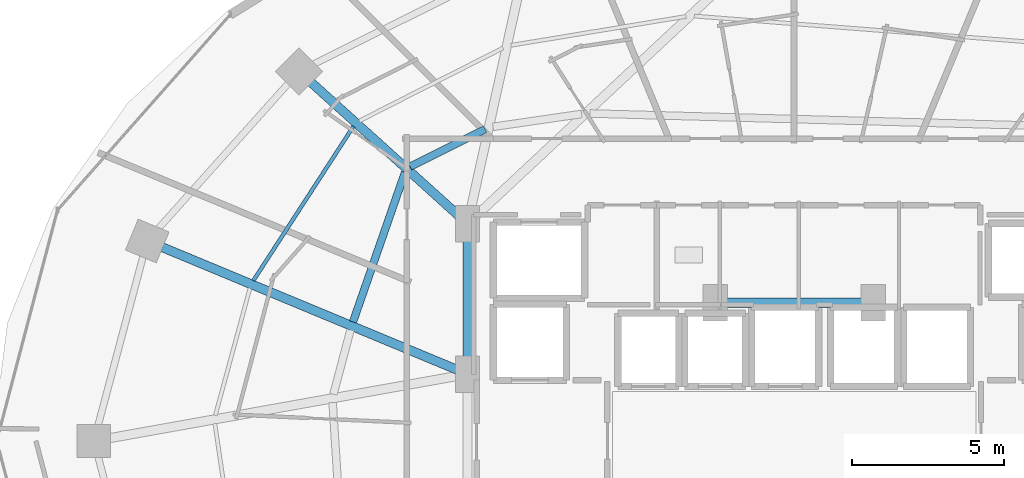
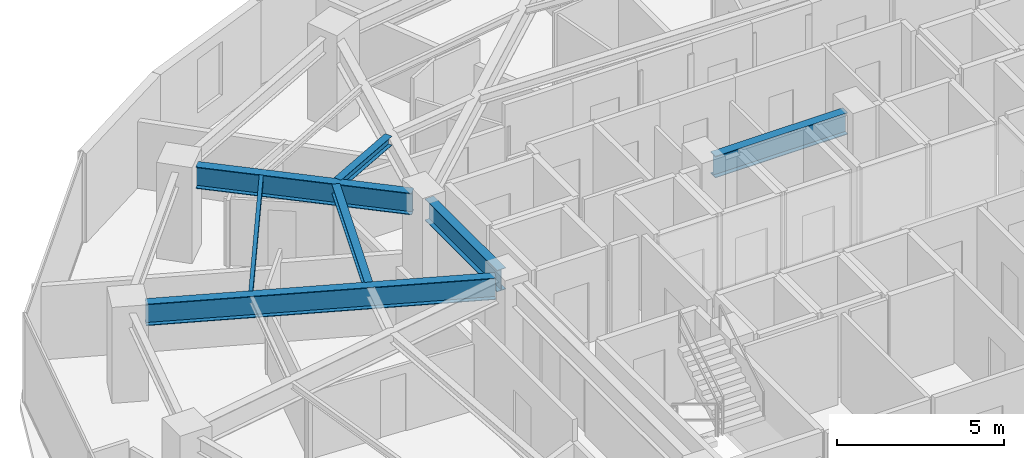
# One storey, part 10 of 31: 7 beams.
"""IFC4 building model written with IfcOpenShell, lengths in metres."""

from ifc_helpers import new_model, si_unit, direction, frame, origin, origin_2d, place, context, subcontext, project, spatial, i_section, extrude, material, material_profile, profile_set, type_object, element, save


model = new_model("IFC4")

# Units and contexts
model_context = context("Model", 3, precision=1e-05, world=origin(), true_north=direction((0.0, 1.0)))
body_context = subcontext(model_context, "Body", "Model", "MODEL_VIEW")
ifc_project = project(units=[si_unit("LENGTHUNIT", "METRE"), si_unit("AREAUNIT", "SQUARE_METRE"), si_unit("VOLUMEUNIT", "CUBIC_METRE"), si_unit("PLANEANGLEUNIT", "RADIAN"), si_unit("MASSUNIT", "GRAM", prefix="KILO")], contexts=[model_context])

# Site, building, storey
site_placement = place(None, origin())
site = spatial("IfcSite", under=ifc_project, at=site_placement, CompositionType="ELEMENT")
building_placement = place(site_placement, origin())
building = spatial("IfcBuilding", under=site, at=building_placement, Name="Vorneva Point Tower", CompositionType="ELEMENT")
storey_placement = place(building_placement, frame((0.0, 0.0, 99.800048828125)))
storey = spatial("IfcBuildingStorey", under=building, at=storey_placement, Name="L26", CompositionType="ELEMENT", Elevation=99.800048828125)

# Beams
ifc_material = material(Name="Steel S355", Category="steel")
ifc_material_profile_1 = material_profile(ifc_material, i_section(OverallWidth=0.300048828125, OverallDepth=0.7880859375, WebThickness=0.014404296875, FlangeThickness=0.02197265625, at=origin_2d()), Name="80Sh1")
ifc_profile_set_1 = profile_set([ifc_material_profile_1], Name="Steel S355")
beam_type_1 = type_object("IfcBeamType", Name="BM-GRD-80Sh1", PredefinedType="USERDEFINED", material=ifc_profile_set_1)
beam_1_placement = place(storey_placement, frame((22.100341796875, 37.801513671875, 2.845947265625), z_axis=(0.742097300344, -0.670292172729, 0.0), x_axis=(0.670292172729, 0.742097300344, 0.0)))
element("IfcBeam", 1, at=beam_1_placement, inside=storey, type_object=beam_type_1, Name="L26 Radial Primary Girder 07", ObjectType="GIRDER", PredefinedType="USERDEFINED", context=body_context, shape_type="SweptSolid", body=[
    extrude(i_section(OverallWidth=0.300048828125, OverallDepth=0.7880859375, WebThickness=0.014404296875, FlangeThickness=0.02197265625, at=origin_2d()), origin(), (0.0, 0.0, 1.0), 6.599365234375),
])
beam_2_placement = place(storey_placement, frame((17.201416015625, 32.375732421875, 2.845947265625), z_axis=(0.923444451211, -0.383732127307, 0.0), x_axis=(0.383732127307, 0.923444451211, 0.0)))
element("IfcBeam", 2, at=beam_2_placement, inside=storey, type_object=beam_type_1, Name="L26 Radial Primary Girder 08", ObjectType="GIRDER", PredefinedType="USERDEFINED", context=body_context, shape_type="SweptSolid", body=[
    extrude(i_section(OverallWidth=0.300048828125, OverallDepth=0.7880859375, WebThickness=0.014404296875, FlangeThickness=0.02197265625, at=origin_2d()), origin(), (0.0, 0.0, 1.0), 10.541748046875),
])
beam_3_placement = place(storey_placement, frame((27.25, 28.52001953125, 2.845947265625), z_axis=(0.0, 1.0, 0.0), x_axis=(-1.0, 0.0, 0.0)))
element("IfcBeam", 3, at=beam_3_placement, inside=storey, type_object=beam_type_1, Name="L26 Core Tie Girder CT2", ObjectType="GIRDER", PredefinedType="USERDEFINED", context=body_context, shape_type="SweptSolid", body=[
    extrude(i_section(OverallWidth=0.300048828125, OverallDepth=0.7880859375, WebThickness=0.014404296875, FlangeThickness=0.02197265625, at=origin_2d()), origin(), (0.0, 0.0, 1.0), 4.31005859375),
])
beam_4_placement = place(storey_placement, frame((35.719970703125, 30.550048828125, 2.845947265625), z_axis=(1.0, 0.0, 0.0), x_axis=(0.0, 1.0, 0.0)))
element("IfcBeam", 4, at=beam_4_placement, inside=storey, type_object=beam_type_1, Name="L26 Core Tie Girder CT8", ObjectType="GIRDER", PredefinedType="USERDEFINED", context=body_context, shape_type="SweptSolid", body=[
    extrude(i_section(OverallWidth=0.300048828125, OverallDepth=0.7880859375, WebThickness=0.014404296875, FlangeThickness=0.02197265625, at=origin_2d()), origin(), (0.0, 0.0, 1.0), 4.56005859375),
])
ifc_material_profile_2 = material_profile(ifc_material, i_section(OverallWidth=0.1240234375, OverallDepth=0.248046875, WebThickness=0.0048828125, FlangeThickness=0.008056640625, at=origin_2d()), Name="25B1")
ifc_profile_set_2 = profile_set([ifc_material_profile_2], Name="Steel S355")
beam_type_2 = type_object("IfcBeamType", Name="BM-JST-25B1", PredefinedType="JOIST", material=ifc_profile_set_2)
beam_5_placement = place(storey_placement, frame((23.494384765625, 36.358642578125, 3.115966796875), z_axis=(-0.544388916418, -0.838832943846, 0.0), x_axis=(0.838832943846, -0.544388916418, 0.0)))
element("IfcBeam", 5, at=beam_5_placement, inside=storey, type_object=beam_type_2, Name="L26 Secondary Floor Beam 1.07", PredefinedType="JOIST", context=body_context, shape_type="SweptSolid", body=[
    extrude(i_section(OverallWidth=0.1240234375, OverallDepth=0.248046875, WebThickness=0.0048828125, FlangeThickness=0.008056640625, at=origin_2d()), origin(), (0.0, 0.0, 1.0), 6.056884765625),
])
ifc_material_profile_3 = material_profile(ifc_material, i_section(OverallWidth=0.2490234375, OverallDepth=0.333984375, WebThickness=0.008056640625, FlangeThickness=0.010986328125, at=origin_2d()), Name="35Sh1")
ifc_profile_set_3 = profile_set([ifc_material_profile_3], Name="Steel S355")
beam_type_3 = type_object("IfcBeamType", Name="BM-SEC-35Sh1", PredefinedType="BEAM", material=ifc_profile_set_3)
beam_6_placement = place(storey_placement, frame((27.826171875, 36.258544921875, 3.072998046875), z_axis=(-0.895505315746, -0.445050816728, 0.0), x_axis=(0.445050816728, -0.895505315746, 0.0)))
element("IfcBeam", 6, at=beam_6_placement, inside=storey, type_object=beam_type_3, Name="L26 Secondary Floor Beam 2.06", PredefinedType="BEAM", context=body_context, shape_type="SweptSolid", body=[
    extrude(i_section(OverallWidth=0.2490234375, OverallDepth=0.333984375, WebThickness=0.008056640625, FlangeThickness=0.010986328125, at=origin_2d()), origin(), (0.0, 0.0, 1.0), 2.756103515625),
])
beam_7_placement = place(storey_placement, frame((25.189208984375, 34.840087890625, 3.072998046875), z_axis=(-0.328524258269, -0.944495532932, 0.0), x_axis=(0.944495532932, -0.328524258269, 0.0)))
element("IfcBeam", 7, at=beam_7_placement, inside=storey, type_object=beam_type_3, Name="L26 Secondary Floor Beam 2.07", PredefinedType="BEAM", context=body_context, shape_type="SweptSolid", body=[
    extrude(i_section(OverallWidth=0.2490234375, OverallDepth=0.333984375, WebThickness=0.008056640625, FlangeThickness=0.010986328125, at=origin_2d()), origin(), (0.0, 0.0, 1.0), 5.21240234375),
])

save(model, "model.ifc")
